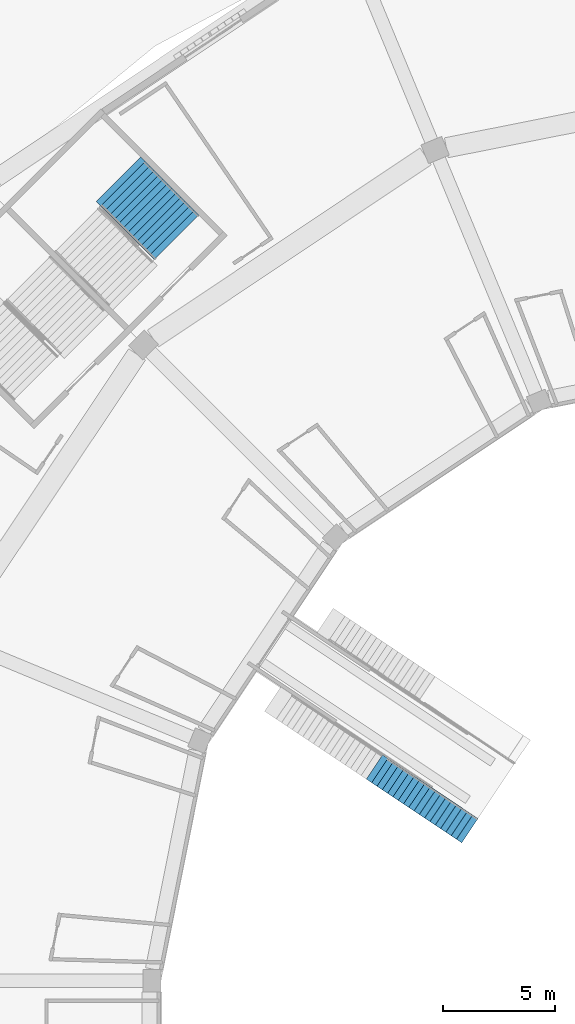
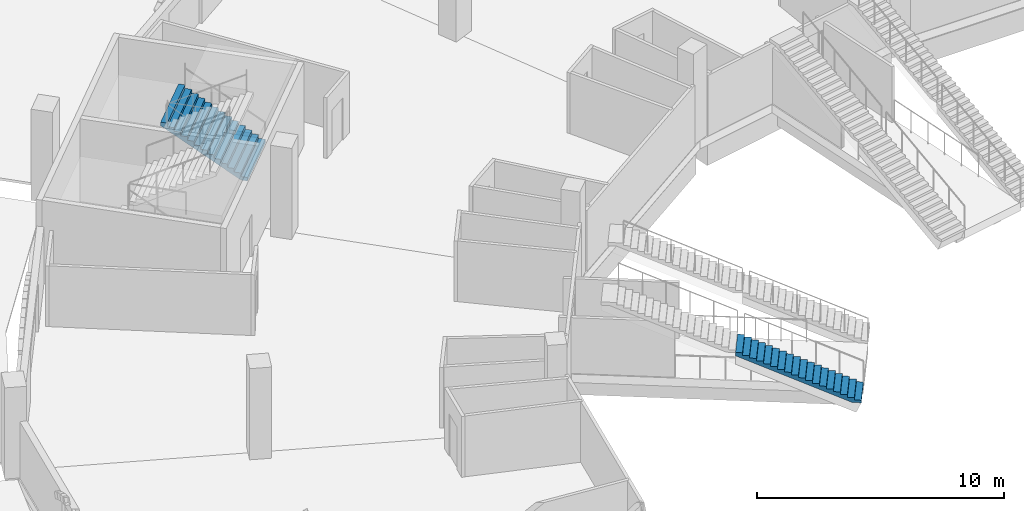
# One storey, part 118 of 175: 2 stair flights, 2 elements without a shape of their own.
"""IFC4 building model written with IfcOpenShell, lengths in metres."""

from ifc_helpers import new_model, si_unit, direction, frame, origin, place, context, subcontext, project, spatial, faceted_brep, material, type_object, element, aggregate, save


model = new_model("IFC4")

# Units and contexts
model_context = context("Model", 3, precision=1e-05, world=origin(), true_north=direction((0.0, 1.0)))
body_context = subcontext(model_context, "Body", "Model", "MODEL_VIEW")
ifc_project = project(units=[si_unit("LENGTHUNIT", "METRE"), si_unit("AREAUNIT", "SQUARE_METRE"), si_unit("VOLUMEUNIT", "CUBIC_METRE"), si_unit("PLANEANGLEUNIT", "RADIAN"), si_unit("MASSUNIT", "GRAM", prefix="KILO")], contexts=[model_context])

# Site, building, storey
site_placement = place(None, origin())
site = spatial("IfcSite", under=ifc_project, at=site_placement, CompositionType="ELEMENT")
building_placement = place(site_placement, origin())
building = spatial("IfcBuilding", under=site, at=building_placement, Name="Ogive Plaza Stadium", CompositionType="ELEMENT")
storey_placement = place(building_placement, origin())
storey = spatial("IfcBuildingStorey", under=building, at=storey_placement, Name="L00", CompositionType="ELEMENT", Elevation=0.0)

# Stair, stair flight
ifc_material_1 = material(Name="Concrete C40/50", Category="concrete")
stair_type_1 = type_object("IfcStairType", Name="Aisle stair", PredefinedType="STRAIGHT_RUN_STAIR", material=ifc_material_1)
stair_1_placement = place(storey_placement, origin())
stair_1 = element("IfcStair", 1, at=stair_1_placement, inside=storey, type_object=stair_type_1, Name="Aisle stair SA29R", PredefinedType="STRAIGHT_RUN_STAIR")
ifc_material_2 = material(Name="Concrete C40/50", Category="concrete")
stair_flight_type_1 = type_object("IfcStairFlightType", Name="Aisle stair flight", PredefinedType="STRAIGHT", material=ifc_material_2)
stair_flight_1_placement = place(storey_placement, frame((-47.763427734375, 59.1708984375, 0.0), z_axis=(0.0, 0.0, 1.0), x_axis=(-0.831469612303, 0.55557023302, 0.0)))
stair_flight_1 = element("IfcStairFlight", 2, at=stair_flight_1_placement, type_object=stair_flight_type_1, Name="SA29R flight 1", NumberOfRisers=18, NumberOfTreads=17, PredefinedType="STRAIGHT", RiserHeight=0.125, TreadLength=0.283333333, context=body_context, shape_type="Brep", body=[
    faceted_brep([(0.371337890625, -0.64990234375, 0.0), (5.10009765625, -0.64990234375, 2.086181640625), (5.10009765625, -0.64990234375, 2.25), (4.816650390625, -0.64990234375, 2.25), (4.816650390625, -0.64990234375, 2.125), (4.533447265625, -0.64990234375, 2.125), (4.533447265625, -0.64990234375, 2.0), (4.25, -0.64990234375, 2.0), (4.25, -0.64990234375, 1.875), (3.966552734375, -0.64990234375, 1.875), (3.966552734375, -0.64990234375, 1.75), (3.683349609375, -0.64990234375, 1.75), (3.683349609375, -0.64990234375, 1.625), (3.39990234375, -0.64990234375, 1.625), (3.39990234375, -0.64990234375, 1.5), (3.11669921875, -0.64990234375, 1.5), (3.11669921875, -0.64990234375, 1.375), (2.833251953125, -0.64990234375, 1.375), (2.833251953125, -0.64990234375, 1.25), (2.550048828125, -0.64990234375, 1.25), (2.550048828125, -0.64990234375, 1.125), (2.2666015625, -0.64990234375, 1.125), (2.2666015625, -0.64990234375, 1.0), (1.9833984375, -0.64990234375, 1.0), (1.9833984375, -0.64990234375, 0.875), (1.699951171875, -0.64990234375, 0.875), (1.699951171875, -0.64990234375, 0.75), (1.416748046875, -0.64990234375, 0.75), (1.416748046875, -0.64990234375, 0.625), (1.13330078125, -0.64990234375, 0.625), (1.13330078125, -0.64990234375, 0.5), (0.85009765625, -0.64990234375, 0.5), (0.85009765625, -0.64990234375, 0.375), (0.566650390625, -0.64990234375, 0.375), (0.566650390625, -0.64990234375, 0.25), (0.283447265625, -0.64990234375, 0.25), (0.283447265625, -0.64990234375, 0.125), (0.0, -0.64990234375, 0.125), (0.0, -0.64990234375, 0.0), (0.0, 0.64990234375, 0.0), (0.0, 0.64990234375, 0.125), (0.283447265625, 0.64990234375, 0.125), (0.283447265625, 0.64990234375, 0.25), (0.566650390625, 0.64990234375, 0.25), (0.566650390625, 0.64990234375, 0.375), (0.85009765625, 0.64990234375, 0.375), (0.85009765625, 0.64990234375, 0.5), (1.13330078125, 0.64990234375, 0.5), (1.13330078125, 0.64990234375, 0.625), (1.416748046875, 0.64990234375, 0.625), (1.416748046875, 0.64990234375, 0.75), (1.699951171875, 0.64990234375, 0.75), (1.699951171875, 0.64990234375, 0.875), (1.9833984375, 0.64990234375, 0.875), (1.9833984375, 0.64990234375, 1.0), (2.2666015625, 0.64990234375, 1.0), (2.2666015625, 0.64990234375, 1.125), (2.550048828125, 0.64990234375, 1.125), (2.550048828125, 0.64990234375, 1.25), (2.833251953125, 0.64990234375, 1.25), (2.833251953125, 0.64990234375, 1.375), (3.11669921875, 0.64990234375, 1.375), (3.11669921875, 0.64990234375, 1.5), (3.39990234375, 0.64990234375, 1.5), (3.39990234375, 0.64990234375, 1.625), (3.683349609375, 0.64990234375, 1.625), (3.683349609375, 0.64990234375, 1.75), (3.966552734375, 0.64990234375, 1.75), (3.966552734375, 0.64990234375, 1.875), (4.25, 0.64990234375, 1.875), (4.25, 0.64990234375, 2.0), (4.533447265625, 0.64990234375, 2.0), (4.533447265625, 0.64990234375, 2.125), (4.816650390625, 0.64990234375, 2.125), (4.816650390625, 0.64990234375, 2.25), (5.10009765625, 0.64990234375, 2.25), (5.10009765625, 0.64990234375, 2.086181640625), (0.371337890625, 0.64990234375, 0.0), (0.371337890625, -0.324951171875, 0.0), (5.10009765625, -0.324951171875, 2.086181640625), (0.371337890625, 0.0, 0.0), (5.10009765625, 0.0, 2.086181640625), (0.371337890625, 0.324951171875, 0.0), (5.10009765625, 0.324951171875, 2.086181640625), (5.10009765625, -0.324951171875, 2.25), (5.10009765625, 0.0, 2.25), (5.10009765625, 0.324951171875, 2.25), (4.816650390625, -0.324951171875, 2.25), (4.816650390625, 0.0, 2.25), (4.816650390625, 0.324951171875, 2.25), (4.816650390625, -0.324951171875, 2.125), (4.816650390625, 0.0, 2.125), (4.816650390625, 0.324951171875, 2.125), (4.533447265625, -0.324951171875, 2.125), (4.533447265625, 0.0, 2.125), (4.533447265625, 0.324951171875, 2.125), (4.533447265625, -0.324951171875, 2.0), (4.533447265625, 0.0, 2.0), (4.533447265625, 0.324951171875, 2.0), (4.25, -0.324951171875, 2.0), (4.25, 0.0, 2.0), (4.25, 0.324951171875, 2.0), (4.25, -0.324951171875, 1.875), (4.25, 0.0, 1.875), (4.25, 0.324951171875, 1.875), (3.966552734375, -0.324951171875, 1.875), (3.966552734375, 0.0, 1.875), (3.966552734375, 0.324951171875, 1.875), (3.966552734375, -0.324951171875, 1.75), (3.966552734375, 0.0, 1.75), (3.966552734375, 0.324951171875, 1.75), (3.683349609375, -0.324951171875, 1.75), (3.683349609375, 0.0, 1.75), (3.683349609375, 0.324951171875, 1.75), (3.683349609375, -0.324951171875, 1.625), (3.683349609375, 0.0, 1.625), (3.683349609375, 0.324951171875, 1.625), (3.39990234375, -0.324951171875, 1.625), (3.39990234375, 0.0, 1.625), (3.39990234375, 0.324951171875, 1.625), (3.39990234375, -0.324951171875, 1.5), (3.39990234375, 0.0, 1.5), (3.39990234375, 0.324951171875, 1.5), (3.11669921875, -0.324951171875, 1.5), (3.11669921875, 0.0, 1.5), (3.11669921875, 0.324951171875, 1.5), (3.11669921875, -0.324951171875, 1.375), (3.11669921875, 0.0, 1.375), (3.11669921875, 0.324951171875, 1.375), (2.833251953125, -0.324951171875, 1.375), (2.833251953125, 0.0, 1.375), (2.833251953125, 0.324951171875, 1.375), (2.833251953125, -0.324951171875, 1.25), (2.833251953125, 0.0, 1.25), (2.833251953125, 0.324951171875, 1.25), (2.550048828125, -0.324951171875, 1.25), (2.550048828125, 0.0, 1.25), (2.550048828125, 0.324951171875, 1.25), (2.550048828125, -0.324951171875, 1.125), (2.550048828125, 0.0, 1.125), (2.550048828125, 0.324951171875, 1.125), (2.2666015625, -0.324951171875, 1.125), (2.2666015625, 0.0, 1.125), (2.2666015625, 0.324951171875, 1.125), (2.2666015625, -0.324951171875, 1.0), (2.2666015625, 0.0, 1.0), (2.2666015625, 0.324951171875, 1.0), (1.9833984375, -0.324951171875, 1.0), (1.9833984375, 0.0, 1.0), (1.9833984375, 0.324951171875, 1.0), (1.9833984375, -0.324951171875, 0.875), (1.9833984375, 0.0, 0.875), (1.9833984375, 0.324951171875, 0.875), (1.699951171875, -0.324951171875, 0.875), (1.699951171875, 0.0, 0.875), (1.699951171875, 0.324951171875, 0.875), (1.699951171875, -0.324951171875, 0.75), (1.699951171875, 0.0, 0.75), (1.699951171875, 0.324951171875, 0.75), (1.416748046875, -0.324951171875, 0.75), (1.416748046875, 0.0, 0.75), (1.416748046875, 0.324951171875, 0.75), (1.416748046875, -0.324951171875, 0.625), (1.416748046875, 0.0, 0.625), (1.416748046875, 0.324951171875, 0.625), (1.13330078125, -0.324951171875, 0.625), (1.13330078125, 0.0, 0.625), (1.13330078125, 0.324951171875, 0.625), (1.13330078125, -0.324951171875, 0.5), (1.13330078125, 0.0, 0.5), (1.13330078125, 0.324951171875, 0.5), (0.85009765625, -0.324951171875, 0.5), (0.85009765625, 0.0, 0.5), (0.85009765625, 0.324951171875, 0.5), (0.85009765625, -0.324951171875, 0.375), (0.85009765625, 0.0, 0.375), (0.85009765625, 0.324951171875, 0.375), (0.566650390625, -0.324951171875, 0.375), (0.566650390625, 0.0, 0.375), (0.566650390625, 0.324951171875, 0.375), (0.566650390625, -0.324951171875, 0.25), (0.566650390625, 0.0, 0.25), (0.566650390625, 0.324951171875, 0.25), (0.283447265625, -0.324951171875, 0.25), (0.283447265625, 0.0, 0.25), (0.283447265625, 0.324951171875, 0.25), (0.283447265625, -0.324951171875, 0.125), (0.283447265625, 0.0, 0.125), (0.283447265625, 0.324951171875, 0.125), (0.0, -0.324951171875, 0.125), (0.0, 0.0, 0.125), (0.0, 0.324951171875, 0.125), (0.0, -0.324951171875, 0.0), (0.0, 0.0, 0.0), (0.0, 0.324951171875, 0.0)], [[[0, 1, 2, 3, 4, 5, 6, 7, 8, 9, 10, 11, 12, 13, 14, 15, 16, 17, 18, 19, 20, 21, 22, 23, 24, 25, 26, 27, 28, 29, 30, 31, 32, 33, 34, 35, 36, 37, 38]], [[39, 40, 41, 42, 43, 44, 45, 46, 47, 48, 49, 50, 51, 52, 53, 54, 55, 56, 57, 58, 59, 60, 61, 62, 63, 64, 65, 66, 67, 68, 69, 70, 71, 72, 73, 74, 75, 76, 77]], [[0, 78, 79, 1]], [[78, 80, 81, 79]], [[80, 82, 83, 81]], [[82, 77, 76, 83]], [[1, 79, 84, 2]], [[79, 81, 85, 84]], [[81, 83, 86, 85]], [[83, 76, 75, 86]], [[2, 84, 87, 3]], [[84, 85, 88, 87]], [[85, 86, 89, 88]], [[86, 75, 74, 89]], [[3, 87, 90, 4]], [[87, 88, 91, 90]], [[88, 89, 92, 91]], [[89, 74, 73, 92]], [[4, 90, 93, 5]], [[90, 91, 94, 93]], [[91, 92, 95, 94]], [[92, 73, 72, 95]], [[5, 93, 96, 6]], [[93, 94, 97, 96]], [[94, 95, 98, 97]], [[95, 72, 71, 98]], [[6, 96, 99, 7]], [[96, 97, 100, 99]], [[97, 98, 101, 100]], [[98, 71, 70, 101]], [[7, 99, 102, 8]], [[99, 100, 103, 102]], [[100, 101, 104, 103]], [[101, 70, 69, 104]], [[8, 102, 105, 9]], [[102, 103, 106, 105]], [[103, 104, 107, 106]], [[104, 69, 68, 107]], [[9, 105, 108, 10]], [[105, 106, 109, 108]], [[106, 107, 110, 109]], [[107, 68, 67, 110]], [[10, 108, 111, 11]], [[108, 109, 112, 111]], [[109, 110, 113, 112]], [[110, 67, 66, 113]], [[11, 111, 114, 12]], [[111, 112, 115, 114]], [[112, 113, 116, 115]], [[113, 66, 65, 116]], [[12, 114, 117, 13]], [[114, 115, 118, 117]], [[115, 116, 119, 118]], [[116, 65, 64, 119]], [[13, 117, 120, 14]], [[117, 118, 121, 120]], [[118, 119, 122, 121]], [[119, 64, 63, 122]], [[14, 120, 123, 15]], [[120, 121, 124, 123]], [[121, 122, 125, 124]], [[122, 63, 62, 125]], [[15, 123, 126, 16]], [[123, 124, 127, 126]], [[124, 125, 128, 127]], [[125, 62, 61, 128]], [[16, 126, 129, 17]], [[126, 127, 130, 129]], [[127, 128, 131, 130]], [[128, 61, 60, 131]], [[17, 129, 132, 18]], [[129, 130, 133, 132]], [[130, 131, 134, 133]], [[131, 60, 59, 134]], [[18, 132, 135, 19]], [[132, 133, 136, 135]], [[133, 134, 137, 136]], [[134, 59, 58, 137]], [[19, 135, 138, 20]], [[135, 136, 139, 138]], [[136, 137, 140, 139]], [[137, 58, 57, 140]], [[20, 138, 141, 21]], [[138, 139, 142, 141]], [[139, 140, 143, 142]], [[140, 57, 56, 143]], [[21, 141, 144, 22]], [[141, 142, 145, 144]], [[142, 143, 146, 145]], [[143, 56, 55, 146]], [[22, 144, 147, 23]], [[144, 145, 148, 147]], [[145, 146, 149, 148]], [[146, 55, 54, 149]], [[23, 147, 150, 24]], [[147, 148, 151, 150]], [[148, 149, 152, 151]], [[149, 54, 53, 152]], [[24, 150, 153, 25]], [[150, 151, 154, 153]], [[151, 152, 155, 154]], [[152, 53, 52, 155]], [[25, 153, 156, 26]], [[153, 154, 157, 156]], [[154, 155, 158, 157]], [[155, 52, 51, 158]], [[26, 156, 159, 27]], [[156, 157, 160, 159]], [[157, 158, 161, 160]], [[158, 51, 50, 161]], [[27, 159, 162, 28]], [[159, 160, 163, 162]], [[160, 161, 164, 163]], [[161, 50, 49, 164]], [[28, 162, 165, 29]], [[162, 163, 166, 165]], [[163, 164, 167, 166]], [[164, 49, 48, 167]], [[29, 165, 168, 30]], [[165, 166, 169, 168]], [[166, 167, 170, 169]], [[167, 48, 47, 170]], [[30, 168, 171, 31]], [[168, 169, 172, 171]], [[169, 170, 173, 172]], [[170, 47, 46, 173]], [[31, 171, 174, 32]], [[171, 172, 175, 174]], [[172, 173, 176, 175]], [[173, 46, 45, 176]], [[32, 174, 177, 33]], [[174, 175, 178, 177]], [[175, 176, 179, 178]], [[176, 45, 44, 179]], [[33, 177, 180, 34]], [[177, 178, 181, 180]], [[178, 179, 182, 181]], [[179, 44, 43, 182]], [[34, 180, 183, 35]], [[180, 181, 184, 183]], [[181, 182, 185, 184]], [[182, 43, 42, 185]], [[35, 183, 186, 36]], [[183, 184, 187, 186]], [[184, 185, 188, 187]], [[185, 42, 41, 188]], [[36, 186, 189, 37]], [[186, 187, 190, 189]], [[187, 188, 191, 190]], [[188, 41, 40, 191]], [[37, 189, 192, 38]], [[189, 190, 193, 192]], [[190, 191, 194, 193]], [[191, 40, 39, 194]], [[38, 192, 78, 0]], [[192, 193, 80, 78]], [[193, 194, 82, 80]], [[194, 39, 77, 82]]]),
])
aggregate(stair_1, [stair_flight_1])

ifc_material_3 = material(Name="Concrete C40/50", Category="concrete")
stair_type_2 = type_object("IfcStairType", Name="Exit stair", PredefinedType="STRAIGHT_RUN_STAIR", material=ifc_material_3)
stair_2_placement = place(storey_placement, origin())
stair_2 = element("IfcStair", 3, at=stair_2_placement, inside=storey, type_object=stair_type_2, Name="Exit stair ST30A L00 to L01", PredefinedType="STRAIGHT_RUN_STAIR")
ifc_material_4 = material(Name="Concrete C40/50", Category="concrete")
stair_flight_type_2 = type_object("IfcStairFlightType", Name="Exit stair flight", PredefinedType="STRAIGHT", material=ifc_material_4)
stair_flight_2_placement = place(storey_placement, frame((-60.817138671875, 85.574951171875, 0.0), z_axis=(0.0, 0.0, 1.0), x_axis=(-0.707106781187, 0.707106781187, 0.0)))
stair_flight_2 = element("IfcStairFlight", 4, at=stair_flight_2_placement, type_object=stair_flight_type_2, Name="ST30A flight 1", NumberOfRisers=13, NumberOfTreads=12, PredefinedType="STRAIGHT", RiserHeight=0.173076923, TreadLength=0.28, context=body_context, shape_type="Brep", body=[
    faceted_brep([(0.28515625, -1.39990234375, 0.0), (3.639892578125, -1.39990234375, 2.07373046875), (3.639892578125, -1.39990234375, 2.25), (3.360107421875, -1.39990234375, 2.25), (3.360107421875, -1.39990234375, 2.076904296875), (3.080078125, -1.39990234375, 2.076904296875), (3.080078125, -1.39990234375, 1.90380859375), (2.800048828125, -1.39990234375, 1.90380859375), (2.800048828125, -1.39990234375, 1.730712890625), (2.52001953125, -1.39990234375, 1.730712890625), (2.52001953125, -1.39990234375, 1.5576171875), (2.239990234375, -1.39990234375, 1.5576171875), (2.239990234375, -1.39990234375, 1.384521484375), (1.9599609375, -1.39990234375, 1.384521484375), (1.9599609375, -1.39990234375, 1.21142578125), (1.679931640625, -1.39990234375, 1.21142578125), (1.679931640625, -1.39990234375, 1.03857421875), (1.39990234375, -1.39990234375, 1.03857421875), (1.39990234375, -1.39990234375, 0.865478515625), (1.1201171875, -1.39990234375, 0.865478515625), (1.1201171875, -1.39990234375, 0.6923828125), (0.840087890625, -1.39990234375, 0.6923828125), (0.840087890625, -1.39990234375, 0.519287109375), (0.56005859375, -1.39990234375, 0.519287109375), (0.56005859375, -1.39990234375, 0.34619140625), (0.280029296875, -1.39990234375, 0.34619140625), (0.280029296875, -1.39990234375, 0.173095703125), (0.0, -1.39990234375, 0.173095703125), (0.0, -1.39990234375, 0.0), (0.0, 1.39990234375, 0.0), (0.0, 1.39990234375, 0.173095703125), (0.280029296875, 1.39990234375, 0.173095703125), (0.280029296875, 1.39990234375, 0.34619140625), (0.56005859375, 1.39990234375, 0.34619140625), (0.56005859375, 1.39990234375, 0.519287109375), (0.840087890625, 1.39990234375, 0.519287109375), (0.840087890625, 1.39990234375, 0.6923828125), (1.1201171875, 1.39990234375, 0.6923828125), (1.1201171875, 1.39990234375, 0.865478515625), (1.39990234375, 1.39990234375, 0.865478515625), (1.39990234375, 1.39990234375, 1.03857421875), (1.679931640625, 1.39990234375, 1.03857421875), (1.679931640625, 1.39990234375, 1.21142578125), (1.9599609375, 1.39990234375, 1.21142578125), (1.9599609375, 1.39990234375, 1.384521484375), (2.239990234375, 1.39990234375, 1.384521484375), (2.239990234375, 1.39990234375, 1.5576171875), (2.52001953125, 1.39990234375, 1.5576171875), (2.52001953125, 1.39990234375, 1.730712890625), (2.800048828125, 1.39990234375, 1.730712890625), (2.800048828125, 1.39990234375, 1.90380859375), (3.080078125, 1.39990234375, 1.90380859375), (3.080078125, 1.39990234375, 2.076904296875), (3.360107421875, 1.39990234375, 2.076904296875), (3.360107421875, 1.39990234375, 2.25), (3.639892578125, 1.39990234375, 2.25), (3.639892578125, 1.39990234375, 2.07373046875), (0.28515625, 1.39990234375, 0.0), (0.28515625, -1.0888671875, 0.0), (3.639892578125, -1.0888671875, 2.07373046875), (0.28515625, -0.77783203125, 0.0), (3.639892578125, -0.77783203125, 2.07373046875), (0.28515625, -0.466796875, 0.0), (3.639892578125, -0.466796875, 2.07373046875), (0.28515625, -0.155517578125, 0.0), (3.639892578125, -0.155517578125, 2.07373046875), (0.28515625, 0.155517578125, 0.0), (3.639892578125, 0.155517578125, 2.07373046875), (0.28515625, 0.466796875, 0.0), (3.639892578125, 0.466796875, 2.07373046875), (0.28515625, 0.77783203125, 0.0), (3.639892578125, 0.77783203125, 2.07373046875), (0.28515625, 1.0888671875, 0.0), (3.639892578125, 1.0888671875, 2.07373046875), (3.639892578125, -1.0888671875, 2.25), (3.639892578125, -0.77783203125, 2.25), (3.639892578125, -0.466796875, 2.25), (3.639892578125, -0.155517578125, 2.25), (3.639892578125, 0.155517578125, 2.25), (3.639892578125, 0.466796875, 2.25), (3.639892578125, 0.77783203125, 2.25), (3.639892578125, 1.0888671875, 2.25), (3.360107421875, -1.0888671875, 2.25), (3.360107421875, -0.77783203125, 2.25), (3.360107421875, -0.466796875, 2.25), (3.360107421875, -0.155517578125, 2.25), (3.360107421875, 0.155517578125, 2.25), (3.360107421875, 0.466796875, 2.25), (3.360107421875, 0.77783203125, 2.25), (3.360107421875, 1.0888671875, 2.25), (3.360107421875, -1.0888671875, 2.076904296875), (3.360107421875, -0.77783203125, 2.076904296875), (3.360107421875, -0.466796875, 2.076904296875), (3.360107421875, -0.155517578125, 2.076904296875), (3.360107421875, 0.155517578125, 2.076904296875), (3.360107421875, 0.466796875, 2.076904296875), (3.360107421875, 0.77783203125, 2.076904296875), (3.360107421875, 1.0888671875, 2.076904296875), (3.080078125, -1.0888671875, 2.076904296875), (3.080078125, -0.77783203125, 2.076904296875), (3.080078125, -0.466796875, 2.076904296875), (3.080078125, -0.155517578125, 2.076904296875), (3.080078125, 0.155517578125, 2.076904296875), (3.080078125, 0.466796875, 2.076904296875), (3.080078125, 0.77783203125, 2.076904296875), (3.080078125, 1.0888671875, 2.076904296875), (3.080078125, -1.0888671875, 1.90380859375), (3.080078125, -0.77783203125, 1.90380859375), (3.080078125, -0.466796875, 1.90380859375), (3.080078125, -0.155517578125, 1.90380859375), (3.080078125, 0.155517578125, 1.90380859375), (3.080078125, 0.466796875, 1.90380859375), (3.080078125, 0.77783203125, 1.90380859375), (3.080078125, 1.0888671875, 1.90380859375), (2.800048828125, -1.0888671875, 1.90380859375), (2.800048828125, -0.77783203125, 1.90380859375), (2.800048828125, -0.466796875, 1.90380859375), (2.800048828125, -0.155517578125, 1.90380859375), (2.800048828125, 0.155517578125, 1.90380859375), (2.800048828125, 0.466796875, 1.90380859375), (2.800048828125, 0.77783203125, 1.90380859375), (2.800048828125, 1.0888671875, 1.90380859375), (2.800048828125, -1.0888671875, 1.730712890625), (2.800048828125, -0.77783203125, 1.730712890625), (2.800048828125, -0.466796875, 1.730712890625), (2.800048828125, -0.155517578125, 1.730712890625), (2.800048828125, 0.155517578125, 1.730712890625), (2.800048828125, 0.466796875, 1.730712890625), (2.800048828125, 0.77783203125, 1.730712890625), (2.800048828125, 1.0888671875, 1.730712890625), (2.52001953125, -1.0888671875, 1.730712890625), (2.52001953125, -0.77783203125, 1.730712890625), (2.52001953125, -0.466796875, 1.730712890625), (2.52001953125, -0.155517578125, 1.730712890625), (2.52001953125, 0.155517578125, 1.730712890625), (2.52001953125, 0.466796875, 1.730712890625), (2.52001953125, 0.77783203125, 1.730712890625), (2.52001953125, 1.0888671875, 1.730712890625), (2.52001953125, -1.0888671875, 1.5576171875), (2.52001953125, -0.77783203125, 1.5576171875), (2.52001953125, -0.466796875, 1.5576171875), (2.52001953125, -0.155517578125, 1.5576171875), (2.52001953125, 0.155517578125, 1.5576171875), (2.52001953125, 0.466796875, 1.5576171875), (2.52001953125, 0.77783203125, 1.5576171875), (2.52001953125, 1.0888671875, 1.5576171875), (2.239990234375, -1.0888671875, 1.5576171875), (2.239990234375, -0.77783203125, 1.5576171875), (2.239990234375, -0.466796875, 1.5576171875), (2.239990234375, -0.155517578125, 1.5576171875), (2.239990234375, 0.155517578125, 1.5576171875), (2.239990234375, 0.466796875, 1.5576171875), (2.239990234375, 0.77783203125, 1.5576171875), (2.239990234375, 1.0888671875, 1.5576171875), (2.239990234375, -1.0888671875, 1.384521484375), (2.239990234375, -0.77783203125, 1.384521484375), (2.239990234375, -0.466796875, 1.384521484375), (2.239990234375, -0.155517578125, 1.384521484375), (2.239990234375, 0.155517578125, 1.384521484375), (2.239990234375, 0.466796875, 1.384521484375), (2.239990234375, 0.77783203125, 1.384521484375), (2.239990234375, 1.0888671875, 1.384521484375), (1.9599609375, -1.0888671875, 1.384521484375), (1.9599609375, -0.77783203125, 1.384521484375), (1.9599609375, -0.466796875, 1.384521484375), (1.9599609375, -0.155517578125, 1.384521484375), (1.9599609375, 0.155517578125, 1.384521484375), (1.9599609375, 0.466796875, 1.384521484375), (1.9599609375, 0.77783203125, 1.384521484375), (1.9599609375, 1.0888671875, 1.384521484375), (1.9599609375, -1.0888671875, 1.21142578125), (1.9599609375, -0.77783203125, 1.21142578125), (1.9599609375, -0.466796875, 1.21142578125), (1.9599609375, -0.155517578125, 1.21142578125), (1.9599609375, 0.155517578125, 1.21142578125), (1.9599609375, 0.466796875, 1.21142578125), (1.9599609375, 0.77783203125, 1.21142578125), (1.9599609375, 1.0888671875, 1.21142578125), (1.679931640625, -1.0888671875, 1.21142578125), (1.679931640625, -0.77783203125, 1.21142578125), (1.679931640625, -0.466796875, 1.21142578125), (1.679931640625, -0.155517578125, 1.21142578125), (1.679931640625, 0.155517578125, 1.21142578125), (1.679931640625, 0.466796875, 1.21142578125), (1.679931640625, 0.77783203125, 1.21142578125), (1.679931640625, 1.0888671875, 1.21142578125), (1.679931640625, -1.0888671875, 1.03857421875), (1.679931640625, -0.77783203125, 1.03857421875), (1.679931640625, -0.466796875, 1.03857421875), (1.679931640625, -0.155517578125, 1.03857421875), (1.679931640625, 0.155517578125, 1.03857421875), (1.679931640625, 0.466796875, 1.03857421875), (1.679931640625, 0.77783203125, 1.03857421875), (1.679931640625, 1.0888671875, 1.03857421875), (1.39990234375, -1.0888671875, 1.03857421875), (1.39990234375, -0.77783203125, 1.03857421875), (1.39990234375, -0.466796875, 1.03857421875), (1.39990234375, -0.155517578125, 1.03857421875), (1.39990234375, 0.155517578125, 1.03857421875), (1.39990234375, 0.466796875, 1.03857421875), (1.39990234375, 0.77783203125, 1.03857421875), (1.39990234375, 1.0888671875, 1.03857421875), (1.39990234375, -1.0888671875, 0.865478515625), (1.39990234375, -0.77783203125, 0.865478515625), (1.39990234375, -0.466796875, 0.865478515625), (1.39990234375, -0.155517578125, 0.865478515625), (1.39990234375, 0.155517578125, 0.865478515625), (1.39990234375, 0.466796875, 0.865478515625), (1.39990234375, 0.77783203125, 0.865478515625), (1.39990234375, 1.0888671875, 0.865478515625), (1.1201171875, -1.0888671875, 0.865478515625), (1.1201171875, -0.77783203125, 0.865478515625), (1.1201171875, -0.466796875, 0.865478515625), (1.1201171875, -0.155517578125, 0.865478515625), (1.1201171875, 0.155517578125, 0.865478515625), (1.1201171875, 0.466796875, 0.865478515625), (1.1201171875, 0.77783203125, 0.865478515625), (1.1201171875, 1.0888671875, 0.865478515625), (1.1201171875, -1.0888671875, 0.6923828125), (1.1201171875, -0.77783203125, 0.6923828125), (1.1201171875, -0.466796875, 0.6923828125), (1.1201171875, -0.155517578125, 0.6923828125), (1.1201171875, 0.155517578125, 0.6923828125), (1.1201171875, 0.466796875, 0.6923828125), (1.1201171875, 0.77783203125, 0.6923828125), (1.1201171875, 1.0888671875, 0.6923828125), (0.840087890625, -1.0888671875, 0.6923828125), (0.840087890625, -0.77783203125, 0.6923828125), (0.840087890625, -0.466796875, 0.6923828125), (0.840087890625, -0.155517578125, 0.6923828125), (0.840087890625, 0.155517578125, 0.6923828125), (0.840087890625, 0.466796875, 0.6923828125), (0.840087890625, 0.77783203125, 0.6923828125), (0.840087890625, 1.0888671875, 0.6923828125), (0.840087890625, -1.0888671875, 0.519287109375), (0.840087890625, -0.77783203125, 0.519287109375), (0.840087890625, -0.466796875, 0.519287109375), (0.840087890625, -0.155517578125, 0.519287109375), (0.840087890625, 0.155517578125, 0.519287109375), (0.840087890625, 0.466796875, 0.519287109375), (0.840087890625, 0.77783203125, 0.519287109375), (0.840087890625, 1.0888671875, 0.519287109375), (0.56005859375, -1.0888671875, 0.519287109375), (0.56005859375, -0.77783203125, 0.519287109375), (0.56005859375, -0.466796875, 0.519287109375), (0.56005859375, -0.155517578125, 0.519287109375), (0.56005859375, 0.155517578125, 0.519287109375), (0.56005859375, 0.466796875, 0.519287109375), (0.56005859375, 0.77783203125, 0.519287109375), (0.56005859375, 1.0888671875, 0.519287109375), (0.56005859375, -1.0888671875, 0.34619140625), (0.56005859375, -0.77783203125, 0.34619140625), (0.56005859375, -0.466796875, 0.34619140625), (0.56005859375, -0.155517578125, 0.34619140625), (0.56005859375, 0.155517578125, 0.34619140625), (0.56005859375, 0.466796875, 0.34619140625), (0.56005859375, 0.77783203125, 0.34619140625), (0.56005859375, 1.0888671875, 0.34619140625), (0.280029296875, -1.0888671875, 0.34619140625), (0.280029296875, -0.77783203125, 0.34619140625), (0.280029296875, -0.466796875, 0.34619140625), (0.280029296875, -0.155517578125, 0.34619140625), (0.280029296875, 0.155517578125, 0.34619140625), (0.280029296875, 0.466796875, 0.34619140625), (0.280029296875, 0.77783203125, 0.34619140625), (0.280029296875, 1.0888671875, 0.34619140625), (0.280029296875, -1.0888671875, 0.173095703125), (0.280029296875, -0.77783203125, 0.173095703125), (0.280029296875, -0.466796875, 0.173095703125), (0.280029296875, -0.155517578125, 0.173095703125), (0.280029296875, 0.155517578125, 0.173095703125), (0.280029296875, 0.466796875, 0.173095703125), (0.280029296875, 0.77783203125, 0.173095703125), (0.280029296875, 1.0888671875, 0.173095703125), (0.0, -1.0888671875, 0.173095703125), (0.0, -0.77783203125, 0.173095703125), (0.0, -0.466796875, 0.173095703125), (0.0, -0.155517578125, 0.173095703125), (0.0, 0.155517578125, 0.173095703125), (0.0, 0.466796875, 0.173095703125), (0.0, 0.77783203125, 0.173095703125), (0.0, 1.0888671875, 0.173095703125), (0.0, -1.0888671875, 0.0), (0.0, -0.77783203125, 0.0), (0.0, -0.466796875, 0.0), (0.0, -0.155517578125, 0.0), (0.0, 0.155517578125, 0.0), (0.0, 0.466796875, 0.0), (0.0, 0.77783203125, 0.0), (0.0, 1.0888671875, 0.0)], [[[0, 1, 2, 3, 4, 5, 6, 7, 8, 9, 10, 11, 12, 13, 14, 15, 16, 17, 18, 19, 20, 21, 22, 23, 24, 25, 26, 27, 28]], [[29, 30, 31, 32, 33, 34, 35, 36, 37, 38, 39, 40, 41, 42, 43, 44, 45, 46, 47, 48, 49, 50, 51, 52, 53, 54, 55, 56, 57]], [[0, 58, 59, 1]], [[58, 60, 61, 59]], [[60, 62, 63, 61]], [[62, 64, 65, 63]], [[64, 66, 67, 65]], [[66, 68, 69, 67]], [[68, 70, 71, 69]], [[70, 72, 73, 71]], [[72, 57, 56, 73]], [[1, 59, 74, 2]], [[59, 61, 75, 74]], [[61, 63, 76, 75]], [[63, 65, 77, 76]], [[65, 67, 78, 77]], [[67, 69, 79, 78]], [[69, 71, 80, 79]], [[71, 73, 81, 80]], [[73, 56, 55, 81]], [[2, 74, 82, 3]], [[74, 75, 83, 82]], [[75, 76, 84, 83]], [[76, 77, 85, 84]], [[77, 78, 86, 85]], [[78, 79, 87, 86]], [[79, 80, 88, 87]], [[80, 81, 89, 88]], [[81, 55, 54, 89]], [[3, 82, 90, 4]], [[82, 83, 91, 90]], [[83, 84, 92, 91]], [[84, 85, 93, 92]], [[85, 86, 94, 93]], [[86, 87, 95, 94]], [[87, 88, 96, 95]], [[88, 89, 97, 96]], [[89, 54, 53, 97]], [[4, 90, 98, 5]], [[90, 91, 99, 98]], [[91, 92, 100, 99]], [[92, 93, 101, 100]], [[93, 94, 102, 101]], [[94, 95, 103, 102]], [[95, 96, 104, 103]], [[96, 97, 105, 104]], [[97, 53, 52, 105]], [[5, 98, 106, 6]], [[98, 99, 107, 106]], [[99, 100, 108, 107]], [[100, 101, 109, 108]], [[101, 102, 110, 109]], [[102, 103, 111, 110]], [[103, 104, 112, 111]], [[104, 105, 113, 112]], [[105, 52, 51, 113]], [[6, 106, 114, 7]], [[106, 107, 115, 114]], [[107, 108, 116, 115]], [[108, 109, 117, 116]], [[109, 110, 118, 117]], [[110, 111, 119, 118]], [[111, 112, 120, 119]], [[112, 113, 121, 120]], [[113, 51, 50, 121]], [[7, 114, 122, 8]], [[114, 115, 123, 122]], [[115, 116, 124, 123]], [[116, 117, 125, 124]], [[117, 118, 126, 125]], [[118, 119, 127, 126]], [[119, 120, 128, 127]], [[120, 121, 129, 128]], [[121, 50, 49, 129]], [[8, 122, 130, 9]], [[122, 123, 131, 130]], [[123, 124, 132, 131]], [[124, 125, 133, 132]], [[125, 126, 134, 133]], [[126, 127, 135, 134]], [[127, 128, 136, 135]], [[128, 129, 137, 136]], [[129, 49, 48, 137]], [[9, 130, 138, 10]], [[130, 131, 139, 138]], [[131, 132, 140, 139]], [[132, 133, 141, 140]], [[133, 134, 142, 141]], [[134, 135, 143, 142]], [[135, 136, 144, 143]], [[136, 137, 145, 144]], [[137, 48, 47, 145]], [[10, 138, 146, 11]], [[138, 139, 147, 146]], [[139, 140, 148, 147]], [[140, 141, 149, 148]], [[141, 142, 150, 149]], [[142, 143, 151, 150]], [[143, 144, 152, 151]], [[144, 145, 153, 152]], [[145, 47, 46, 153]], [[11, 146, 154, 12]], [[146, 147, 155, 154]], [[147, 148, 156, 155]], [[148, 149, 157, 156]], [[149, 150, 158, 157]], [[150, 151, 159, 158]], [[151, 152, 160, 159]], [[152, 153, 161, 160]], [[153, 46, 45, 161]], [[12, 154, 162, 13]], [[154, 155, 163, 162]], [[155, 156, 164, 163]], [[156, 157, 165, 164]], [[157, 158, 166, 165]], [[158, 159, 167, 166]], [[159, 160, 168, 167]], [[160, 161, 169, 168]], [[161, 45, 44, 169]], [[13, 162, 170, 14]], [[162, 163, 171, 170]], [[163, 164, 172, 171]], [[164, 165, 173, 172]], [[165, 166, 174, 173]], [[166, 167, 175, 174]], [[167, 168, 176, 175]], [[168, 169, 177, 176]], [[169, 44, 43, 177]], [[14, 170, 178, 15]], [[170, 171, 179, 178]], [[171, 172, 180, 179]], [[172, 173, 181, 180]], [[173, 174, 182, 181]], [[174, 175, 183, 182]], [[175, 176, 184, 183]], [[176, 177, 185, 184]], [[177, 43, 42, 185]], [[15, 178, 186, 16]], [[178, 179, 187, 186]], [[179, 180, 188, 187]], [[180, 181, 189, 188]], [[181, 182, 190, 189]], [[182, 183, 191, 190]], [[183, 184, 192, 191]], [[184, 185, 193, 192]], [[185, 42, 41, 193]], [[16, 186, 194, 17]], [[186, 187, 195, 194]], [[187, 188, 196, 195]], [[188, 189, 197, 196]], [[189, 190, 198, 197]], [[190, 191, 199, 198]], [[191, 192, 200, 199]], [[192, 193, 201, 200]], [[193, 41, 40, 201]], [[17, 194, 202, 18]], [[194, 195, 203, 202]], [[195, 196, 204, 203]], [[196, 197, 205, 204]], [[197, 198, 206, 205]], [[198, 199, 207, 206]], [[199, 200, 208, 207]], [[200, 201, 209, 208]], [[201, 40, 39, 209]], [[18, 202, 210, 19]], [[202, 203, 211, 210]], [[203, 204, 212, 211]], [[204, 205, 213, 212]], [[205, 206, 214, 213]], [[206, 207, 215, 214]], [[207, 208, 216, 215]], [[208, 209, 217, 216]], [[209, 39, 38, 217]], [[19, 210, 218, 20]], [[210, 211, 219, 218]], [[211, 212, 220, 219]], [[212, 213, 221, 220]], [[213, 214, 222, 221]], [[214, 215, 223, 222]], [[215, 216, 224, 223]], [[216, 217, 225, 224]], [[217, 38, 37, 225]], [[20, 218, 226, 21]], [[218, 219, 227, 226]], [[219, 220, 228, 227]], [[220, 221, 229, 228]], [[221, 222, 230, 229]], [[222, 223, 231, 230]], [[223, 224, 232, 231]], [[224, 225, 233, 232]], [[225, 37, 36, 233]], [[21, 226, 234, 22]], [[226, 227, 235, 234]], [[227, 228, 236, 235]], [[228, 229, 237, 236]], [[229, 230, 238, 237]], [[230, 231, 239, 238]], [[231, 232, 240, 239]], [[232, 233, 241, 240]], [[233, 36, 35, 241]], [[22, 234, 242, 23]], [[234, 235, 243, 242]], [[235, 236, 244, 243]], [[236, 237, 245, 244]], [[237, 238, 246, 245]], [[238, 239, 247, 246]], [[239, 240, 248, 247]], [[240, 241, 249, 248]], [[241, 35, 34, 249]], [[23, 242, 250, 24]], [[242, 243, 251, 250]], [[243, 244, 252, 251]], [[244, 245, 253, 252]], [[245, 246, 254, 253]], [[246, 247, 255, 254]], [[247, 248, 256, 255]], [[248, 249, 257, 256]], [[249, 34, 33, 257]], [[24, 250, 258, 25]], [[250, 251, 259, 258]], [[251, 252, 260, 259]], [[252, 253, 261, 260]], [[253, 254, 262, 261]], [[254, 255, 263, 262]], [[255, 256, 264, 263]], [[256, 257, 265, 264]], [[257, 33, 32, 265]], [[25, 258, 266, 26]], [[258, 259, 267, 266]], [[259, 260, 268, 267]], [[260, 261, 269, 268]], [[261, 262, 270, 269]], [[262, 263, 271, 270]], [[263, 264, 272, 271]], [[264, 265, 273, 272]], [[265, 32, 31, 273]], [[26, 266, 274, 27]], [[266, 267, 275, 274]], [[267, 268, 276, 275]], [[268, 269, 277, 276]], [[269, 270, 278, 277]], [[270, 271, 279, 278]], [[271, 272, 280, 279]], [[272, 273, 281, 280]], [[273, 31, 30, 281]], [[27, 274, 282, 28]], [[274, 275, 283, 282]], [[275, 276, 284, 283]], [[276, 277, 285, 284]], [[277, 278, 286, 285]], [[278, 279, 287, 286]], [[279, 280, 288, 287]], [[280, 281, 289, 288]], [[281, 30, 29, 289]], [[28, 282, 58, 0]], [[282, 283, 60, 58]], [[283, 284, 62, 60]], [[284, 285, 64, 62]], [[285, 286, 66, 64]], [[286, 287, 68, 66]], [[287, 288, 70, 68]], [[288, 289, 72, 70]], [[289, 29, 57, 72]]]),
])
aggregate(stair_2, [stair_flight_2])

save(model, "model.ifc")
